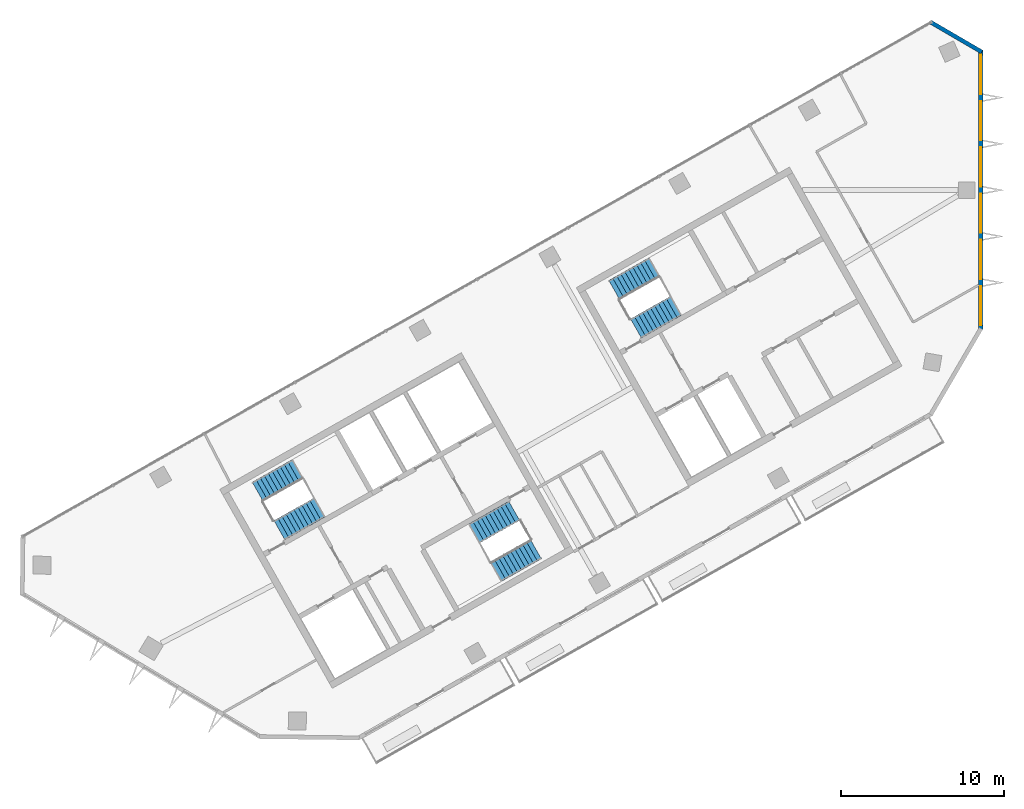
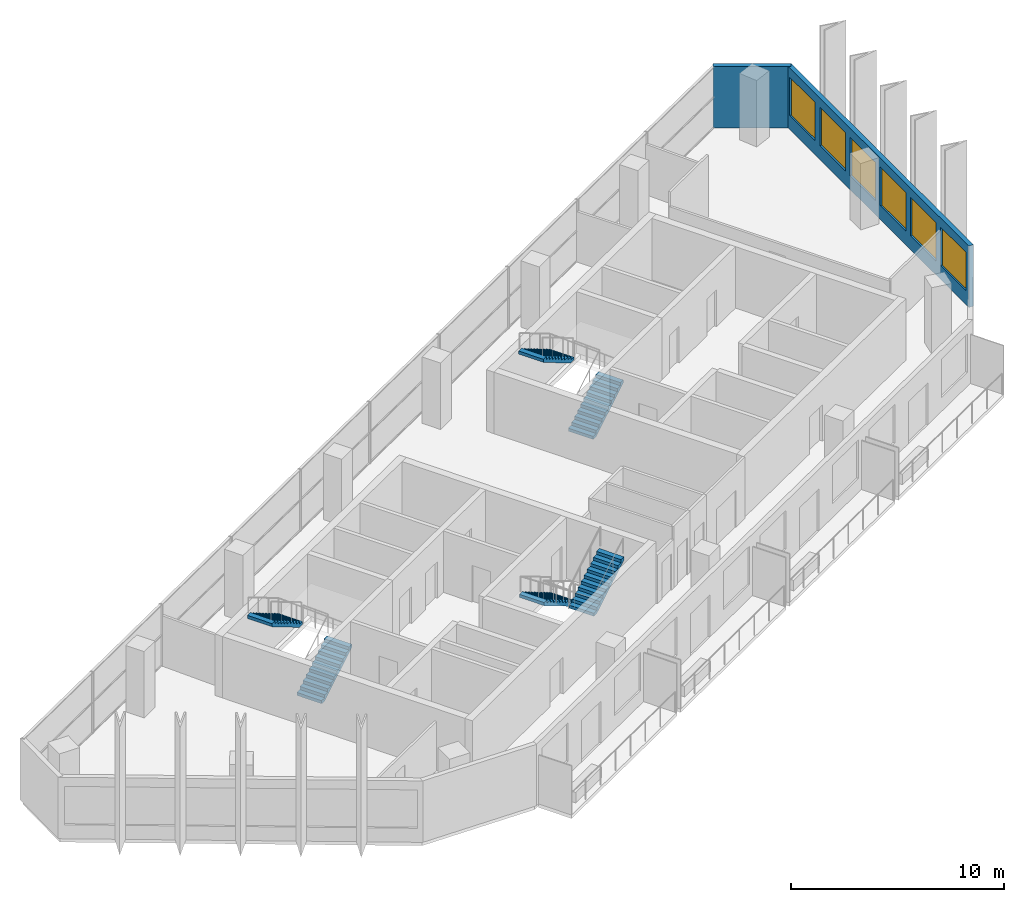
# One storey, part 8 of 10: 6 stair flights, 6 windows, 2 walls, 6 openings, 3 elements without a shape of their own.
"""IFC4 building model written with IfcOpenShell, lengths in metres."""

import ifcopenshell
import ifcopenshell.guid

model = None  # the IFC model being written
_history = None  # IfcOwnerHistory: only IFC2X3 demands one
_inside = {}  # id of a spatial element -> (the spatial element, [elements in it])
_under = {}  # id of a project, library or spatial element -> (it, [spatial elements below it])
_declared = {}  # id of a project -> (the project, [libraries it declares])
_typed = {}  # id of a type object -> (the type object, [elements of that type])
_made_of = {}  # id of a material, layer set ... -> (it, [elements and type objects made of it])


def new_model(schema):
    """Start an empty IFC model of exactly this schema.

    Asked for "IFC4X3", IfcOpenShell would pick the latest addendum, in which some entities
    have other attributes; the version numbers below select the first issue.
    IFC2X3 requires an IfcOwnerHistory on every rooted entity: one is made here for all.
    """
    global model, _history
    if schema == "IFC4X3":
        model = ifcopenshell.file(schema_version=(4, 3, 0, 0))
    else:
        model = ifcopenshell.file(schema=schema)
    _inside.clear()
    _under.clear()
    _declared.clear()
    _typed.clear()
    _made_of.clear()
    _history = None
    if model.schema == "IFC2X3":
        org = make("IfcOrganization", Name="unknown")
        user = make(
            "IfcPersonAndOrganization",
            ThePerson=make("IfcPerson", FamilyName="unknown"),
            TheOrganization=org,
        )
        app = make(
            "IfcApplication",
            ApplicationDeveloper=org,
            Version="unknown",
            ApplicationFullName="unknown",
            ApplicationIdentifier="unknown",
        )
        _history = make(
            "IfcOwnerHistory",
            OwningUser=user,
            OwningApplication=app,
            ChangeAction="ADDED",
            CreationDate=0,
        )
    return model


def make(cls, **values):
    """One entity of the class cls with the attributes given. An attribute that is None is left unset."""
    return model.create_entity(
        cls, **{name: value for name, value in values.items() if value is not None}
    )


def rooted(cls, **values):
    """An entity with a GlobalId (a new one), such as an element, a storey or a relation."""
    return make(cls, GlobalId=ifcopenshell.guid.new(), OwnerHistory=_history, **values)


def si_unit(unit_type, name, prefix=None):
    """IfcSIUnit, for example si_unit("LENGTHUNIT", "METRE", prefix="MILLI")."""
    return make("IfcSIUnit", UnitType=unit_type, Prefix=prefix, Name=name)


def assignment(units):
    """IfcUnitAssignment: the units of a project."""
    return None if units is None else make("IfcUnitAssignment", Units=units)


def point(xyz):
    """IfcCartesianPoint."""
    return None if xyz is None else make("IfcCartesianPoint", Coordinates=xyz)


def direction(xyz):
    """IfcDirection."""
    return None if xyz is None else make("IfcDirection", DirectionRatios=xyz)


def frame(location, z_axis=None, x_axis=None):
    """IfcAxis2Placement3D, a coordinate frame: its origin and axes. An axis left out is left unset."""
    return make(
        "IfcAxis2Placement3D",
        Location=point(location),
        Axis=direction(z_axis),
        RefDirection=direction(x_axis),
    )


def frame_2d(location, x_axis=None):
    """IfcAxis2Placement2D, a coordinate frame in the plane: its origin and x axis."""
    return make(
        "IfcAxis2Placement2D", Location=point(location), RefDirection=direction(x_axis)
    )


def origin():
    """The frame at (0, 0, 0) with its axes left unset."""
    return frame((0.0, 0.0, 0.0))


def place(relative_to, where):
    """IfcLocalPlacement: puts the frame where relative to a parent placement (None: the world)."""
    return make(
        "IfcLocalPlacement", PlacementRelTo=relative_to, RelativePlacement=where
    )


def context(
    kind, dimensions, precision=None, world=None, true_north=None, identifier=None
):
    """IfcGeometricRepresentationContext, for example the 3D "Model" context."""
    return make(
        "IfcGeometricRepresentationContext",
        ContextIdentifier=identifier,
        ContextType=kind,
        CoordinateSpaceDimension=dimensions,
        Precision=precision,
        WorldCoordinateSystem=world,
        TrueNorth=true_north,
    )


def subcontext(parent, identifier, kind, view, scale=None):
    """IfcGeometricRepresentationSubContext, for example "Body" below "Model"."""
    return make(
        "IfcGeometricRepresentationSubContext",
        ContextIdentifier=identifier,
        ContextType=kind,
        ParentContext=parent,
        TargetScale=scale,
        TargetView=view,
    )


def project(units=None, contexts=None):
    """IfcProject with its units and contexts."""
    return rooted(
        "IfcProject",
        Name="project",
        RepresentationContexts=contexts,
        UnitsInContext=assignment(units),
    )


def spatial(cls, under=None, at=None, **own):
    """A site, building, storey or space (cls), placed at a placement, below another one or the project."""
    s = rooted(cls, ObjectPlacement=at, **own)
    if under is not None:
        _under.setdefault(under.id(), (under, []))[1].append(s)
    return s


def polyline(points):
    """IfcPolyline through the points."""
    return make("IfcPolyline", Points=[point(p) for p in points])


def profile(cls, at=None, kind="AREA", **sizes):
    """A parametric profile (cls). Its sizes go by their IFC names, for example OverallWidth=200.0."""
    return make(cls, ProfileType=kind, Position=at, **sizes)


def rectangle(**sizes):
    """IfcRectangleProfileDef."""
    return profile("IfcRectangleProfileDef", **sizes)


def outline(outer, holes=None, kind="AREA"):
    """IfcArbitraryClosedProfileDef: a profile drawn as a closed curve; with holes, ...WithVoids."""
    if holes is None:
        return make("IfcArbitraryClosedProfileDef", ProfileType=kind, OuterCurve=outer)
    return make(
        "IfcArbitraryProfileDefWithVoids",
        ProfileType=kind,
        OuterCurve=outer,
        InnerCurves=holes,
    )


def extrude(swept, where, along, depth):
    """IfcExtrudedAreaSolid: the profile swept, set in the frame where, extruded along a direction by depth."""
    return make(
        "IfcExtrudedAreaSolid",
        SweptArea=swept,
        Position=where,
        ExtrudedDirection=direction(along),
        Depth=depth,
    )


def shape(context_of_items, identifier, shape_type, items):
    """IfcShapeRepresentation: the items that make up one representation, for example the "Body"."""
    return make(
        "IfcShapeRepresentation",
        ContextOfItems=context_of_items,
        RepresentationIdentifier=identifier,
        RepresentationType=shape_type,
        Items=items,
    )


def material(Name=None, Category=None):
    """IfcMaterial."""
    return make("IfcMaterial", Name=Name, Category=Category)


def layer(
    of_material, thickness, ventilated=None, Name=None, Category=None, Priority=None
):
    """IfcMaterialLayer: one layer of a wall or slab, of a material (None: an air gap)."""
    return make(
        "IfcMaterialLayer",
        Material=of_material,
        LayerThickness=thickness,
        IsVentilated=ventilated,
        Name=Name,
        Category=Category,
        Priority=Priority,
    )


def layer_set(layers, Name=None):
    """IfcMaterialLayerSet."""
    return make("IfcMaterialLayerSet", MaterialLayers=layers, LayerSetName=Name)


def made_of(thing, what):
    """Note that an element or type object is made of a material, layer set ...; save() writes the relation."""
    if what is not None:
        _made_of.setdefault(what.id(), (what, []))[1].append(thing)
    return thing


def type_object(cls, material=None, **own):
    """A type object (cls), such as IfcWallType, which elements share."""
    return made_of(rooted(cls, **own), material)


def element(
    cls,
    number,
    at=None,
    inside=None,
    cuts=None,
    type_object=None,
    material=None,
    context=None,
    identifier="Body",
    shape_type=None,
    held_by="IfcProductDefinitionShape",
    body=None,
    shapes=None,
    **own,
):
    """One element of the class cls, such as IfcWall. Its Tag is "e" and its number.

    at: its placement. inside: the storey or other place that contains it. cuts: it is an
    opening in that element (IfcRelVoidsElement). A single representation is given by context,
    identifier, shape_type and body (its items); several are given by shapes. held_by: the class
    of the entity that holds the representations. save() writes the other relations.
    """
    e = rooted(cls, Tag="e%d" % number, ObjectPlacement=at, **own)
    if body is not None:
        shapes = [shape(context, identifier, shape_type, body)]
    if shapes is not None:
        e.Representation = make(held_by, Representations=shapes)
    if inside is not None:
        _inside.setdefault(inside.id(), (inside, []))[1].append(e)
    if cuts is not None:
        rooted(
            "IfcRelVoidsElement", RelatingBuildingElement=cuts, RelatedOpeningElement=e
        )
    if type_object is not None:
        _typed.setdefault(type_object.id(), (type_object, []))[1].append(e)
    return made_of(e, material)


def fill(opening, filler):
    """IfcRelFillsElement: the door or window that sits in an opening."""
    return rooted(
        "IfcRelFillsElement",
        RelatingOpeningElement=opening,
        RelatedBuildingElement=filler,
    )


def aggregate(whole, parts):
    """IfcRelAggregates: a whole, such as a stair, and the parts it consists of."""
    return rooted("IfcRelAggregates", RelatingObject=whole, RelatedObjects=parts)


def save(model, path):
    """Write the relations noted so far, then the file.

    IfcRelAggregates (storeys below a building ...), IfcRelContainedInSpatialStructure (elements
    in a storey), IfcRelDefinesByType, IfcRelAssociatesMaterial and IfcRelDeclares: one each for
    every whole, place, type object, material and project.
    """
    for whole, parts in _under.values():
        aggregate(whole, parts)
    for where, things in _inside.values():
        rooted(
            "IfcRelContainedInSpatialStructure",
            RelatedElements=things,
            RelatingStructure=where,
        )
    for kind, things in _typed.values():
        rooted("IfcRelDefinesByType", RelatedObjects=things, RelatingType=kind)
    for what, things in _made_of.values():
        rooted("IfcRelAssociatesMaterial", RelatedObjects=things, RelatingMaterial=what)
    for by, libraries in _declared.values():
        rooted("IfcRelDeclares", RelatingContext=by, RelatedDefinitions=libraries)
    model.write(path)


model = new_model("IFC4")

# Units and contexts
model_context = context("Model", 3, precision=1e-05, world=origin(), true_north=direction((0.0, 1.0)))
body_context = subcontext(model_context, "Body", "Model", "MODEL_VIEW")
ifc_project = project(units=[si_unit("LENGTHUNIT", "METRE"), si_unit("AREAUNIT", "SQUARE_METRE"), si_unit("VOLUMEUNIT", "CUBIC_METRE"), si_unit("PLANEANGLEUNIT", "RADIAN"), si_unit("MASSUNIT", "GRAM", prefix="KILO")], contexts=[model_context])

# Site, building, storey
site_placement = place(None, origin())
site = spatial("IfcSite", under=ifc_project, at=site_placement, CompositionType="ELEMENT")
building_placement = place(site_placement, origin())
building = spatial("IfcBuilding", under=site, at=building_placement, Name="Binnacle Exchange Tower", CompositionType="ELEMENT")
storey_placement = place(building_placement, frame((0.0, 0.0, 316.5)))
storey = spatial("IfcBuildingStorey", under=building, at=storey_placement, Name="L71", CompositionType="ELEMENT", Elevation=316.5)

# Wall, openings, windows
ifc_material_1 = material(Name="Bronze aluminium cladding", Category="aluminium")
ifc_layer = layer(ifc_material_1, 0.25)
ifc_layer_set = layer_set([ifc_layer], Name="External wall - window wall 250")
wall_type = type_object("IfcWallType", Name="External wall - window wall 250", PredefinedType="STANDARD", material=ifc_layer_set)
wall_1_placement = place(storey_placement, frame((0.0, 68.57177734375, 0.0), z_axis=(0.0, 0.0, 1.0), x_axis=(0.0, -1.0, 0.0)))
wall_1 = element("IfcWall", 1, at=wall_1_placement, inside=storey, type_object=wall_type, Name="External wall EW-H01 L71", PredefinedType="STANDARD", context=body_context, shape_type="SweptSolid", body=[
    extrude(rectangle(XDim=17.10546875, YDim=0.25, at=frame_2d((8.552734375, 0.0))), origin(), (0.0, 0.0, 1.0), 3.52001953125),
])
opening_1_placement = place(wall_1_placement, frame((14.455078125, 0.0, 0.800048828125)))
opening_1 = element("IfcOpeningElement", 2, at=opening_1_placement, cuts=wall_1, Name="Opening WR2", PredefinedType="OPENING", context=body_context, shape_type="SweptSolid", body=[
    extrude(rectangle(XDim=2.39990234375, YDim=2.199951171875, at=frame_2d((1.199951171875, 1.10009765625))), frame((0.0, 0.135009765625, 0.0), z_axis=(0.0, -1.0, 0.0), x_axis=(1.0, 0.0, 0.0)), (0.0, 0.0, 1.0), 0.27001953125),
])
opening_2_placement = place(wall_1_placement, frame((11.621826171875, 0.0, 0.800048828125)))
opening_2 = element("IfcOpeningElement", 3, at=opening_2_placement, cuts=wall_1, Name="Opening WR2", PredefinedType="OPENING", context=body_context, shape_type="SweptSolid", body=[
    extrude(rectangle(XDim=2.39990234375, YDim=2.199951171875, at=frame_2d((1.199951171875, 1.10009765625))), frame((0.0, 0.135009765625, 0.0), z_axis=(0.0, -1.0, 0.0), x_axis=(1.0, 0.0, 0.0)), (0.0, 0.0, 1.0), 0.27001953125),
])
opening_3_placement = place(wall_1_placement, frame((8.78857421875, 0.0, 0.800048828125)))
opening_3 = element("IfcOpeningElement", 4, at=opening_3_placement, cuts=wall_1, Name="Opening WR2", PredefinedType="OPENING", context=body_context, shape_type="SweptSolid", body=[
    extrude(rectangle(XDim=2.39990234375, YDim=2.199951171875, at=frame_2d((1.199951171875, 1.10009765625))), frame((0.0, 0.135009765625, 0.0), z_axis=(0.0, -1.0, 0.0), x_axis=(1.0, 0.0, 0.0)), (0.0, 0.0, 1.0), 0.27001953125),
])
opening_4_placement = place(wall_1_placement, frame((5.955078125, 0.0, 0.800048828125)))
opening_4 = element("IfcOpeningElement", 5, at=opening_4_placement, cuts=wall_1, Name="Opening WR2", PredefinedType="OPENING", context=body_context, shape_type="SweptSolid", body=[
    extrude(rectangle(XDim=2.39990234375, YDim=2.199951171875, at=frame_2d((1.199951171875, 1.10009765625))), frame((0.0, 0.135009765625, 0.0), z_axis=(0.0, -1.0, 0.0), x_axis=(1.0, 0.0, 0.0)), (0.0, 0.0, 1.0), 0.27001953125),
])
opening_5_placement = place(wall_1_placement, frame((3.121826171875, 0.0, 0.800048828125)))
opening_5 = element("IfcOpeningElement", 6, at=opening_5_placement, cuts=wall_1, Name="Opening WR2", PredefinedType="OPENING", context=body_context, shape_type="SweptSolid", body=[
    extrude(rectangle(XDim=2.39990234375, YDim=2.199951171875, at=frame_2d((1.199951171875, 1.10009765625))), frame((0.0, 0.135009765625, 0.0), z_axis=(0.0, -1.0, 0.0), x_axis=(1.0, 0.0, 0.0)), (0.0, 0.0, 1.0), 0.27001953125),
])
opening_6_placement = place(wall_1_placement, frame((0.28857421875, 0.0, 0.800048828125)))
opening_6 = element("IfcOpeningElement", 7, at=opening_6_placement, cuts=wall_1, Name="Opening WR2", PredefinedType="OPENING", context=body_context, shape_type="SweptSolid", body=[
    extrude(rectangle(XDim=2.39990234375, YDim=2.199951171875, at=frame_2d((1.199951171875, 1.10009765625))), frame((0.0, 0.135009765625, 0.0), z_axis=(0.0, -1.0, 0.0), x_axis=(1.0, 0.0, 0.0)), (0.0, 0.0, 1.0), 0.27001953125),
])
ifc_material_2 = material(Name="Bronze anodised aluminium frame", Category="aluminium")
window_type = type_object("IfcWindowType", Name="WR2 WINDOW 2400x2200", PartitioningType="SINGLE_PANEL", PredefinedType="WINDOW", material=ifc_material_2)
window_1_placement = place(opening_1_placement, origin())
window_1 = element("IfcWindow", 8, at=window_1_placement, inside=storey, type_object=window_type, Name="Window WR2 L71", OverallHeight=2.199951171875, OverallWidth=2.39990234375, PartitioningType="SINGLE_PANEL", PredefinedType="WINDOW", context=body_context, shape_type="SweptSolid", body=[
    extrude(rectangle(XDim=2.39990234375, YDim=2.199951171875, at=frame_2d((1.199951171875, 1.10009765625))), frame((0.0, 0.030029296875, 0.0), z_axis=(0.0, -1.0, 0.0), x_axis=(1.0, 0.0, 0.0)), (0.0, 0.0, 1.0), 0.06005859375),
])
fill(opening_1, window_1)
window_2_placement = place(opening_2_placement, origin())
window_2 = element("IfcWindow", 9, at=window_2_placement, inside=storey, type_object=window_type, Name="Window WR2 L71", OverallHeight=2.199951171875, OverallWidth=2.39990234375, PartitioningType="SINGLE_PANEL", PredefinedType="WINDOW", context=body_context, shape_type="SweptSolid", body=[
    extrude(rectangle(XDim=2.39990234375, YDim=2.199951171875, at=frame_2d((1.199951171875, 1.10009765625))), frame((0.0, 0.030029296875, 0.0), z_axis=(0.0, -1.0, 0.0), x_axis=(1.0, 0.0, 0.0)), (0.0, 0.0, 1.0), 0.06005859375),
])
fill(opening_2, window_2)
window_3_placement = place(opening_3_placement, origin())
window_3 = element("IfcWindow", 10, at=window_3_placement, inside=storey, type_object=window_type, Name="Window WR2 L71", OverallHeight=2.199951171875, OverallWidth=2.39990234375, PartitioningType="SINGLE_PANEL", PredefinedType="WINDOW", context=body_context, shape_type="SweptSolid", body=[
    extrude(rectangle(XDim=2.39990234375, YDim=2.199951171875, at=frame_2d((1.199951171875, 1.10009765625))), frame((0.0, 0.030029296875, 0.0), z_axis=(0.0, -1.0, 0.0), x_axis=(1.0, 0.0, 0.0)), (0.0, 0.0, 1.0), 0.06005859375),
])
fill(opening_3, window_3)
window_4_placement = place(opening_4_placement, origin())
window_4 = element("IfcWindow", 11, at=window_4_placement, inside=storey, type_object=window_type, Name="Window WR2 L71", OverallHeight=2.199951171875, OverallWidth=2.39990234375, PartitioningType="SINGLE_PANEL", PredefinedType="WINDOW", context=body_context, shape_type="SweptSolid", body=[
    extrude(rectangle(XDim=2.39990234375, YDim=2.199951171875, at=frame_2d((1.199951171875, 1.10009765625))), frame((0.0, 0.030029296875, 0.0), z_axis=(0.0, -1.0, 0.0), x_axis=(1.0, 0.0, 0.0)), (0.0, 0.0, 1.0), 0.06005859375),
])
fill(opening_4, window_4)
window_5_placement = place(opening_5_placement, origin())
window_5 = element("IfcWindow", 12, at=window_5_placement, inside=storey, type_object=window_type, Name="Window WR2 L71", OverallHeight=2.199951171875, OverallWidth=2.39990234375, PartitioningType="SINGLE_PANEL", PredefinedType="WINDOW", context=body_context, shape_type="SweptSolid", body=[
    extrude(rectangle(XDim=2.39990234375, YDim=2.199951171875, at=frame_2d((1.199951171875, 1.10009765625))), frame((0.0, 0.030029296875, 0.0), z_axis=(0.0, -1.0, 0.0), x_axis=(1.0, 0.0, 0.0)), (0.0, 0.0, 1.0), 0.06005859375),
])
fill(opening_5, window_5)
window_6_placement = place(opening_6_placement, origin())
window_6 = element("IfcWindow", 13, at=window_6_placement, inside=storey, type_object=window_type, Name="Window WR2 L71", OverallHeight=2.199951171875, OverallWidth=2.39990234375, PartitioningType="SINGLE_PANEL", PredefinedType="WINDOW", context=body_context, shape_type="SweptSolid", body=[
    extrude(rectangle(XDim=2.39990234375, YDim=2.199951171875, at=frame_2d((1.199951171875, 1.10009765625))), frame((0.0, 0.030029296875, 0.0), z_axis=(0.0, -1.0, 0.0), x_axis=(1.0, 0.0, 0.0)), (0.0, 0.0, 1.0), 0.06005859375),
])
fill(opening_6, window_6)

# Wall
wall_2_placement = place(storey_placement, frame((-3.108154296875, 70.312744140625, 0.0), z_axis=(0.0, 0.0, 1.0), x_axis=(0.86382474085, -0.503792434536, 0.0)))
element("IfcWall", 14, at=wall_2_placement, inside=storey, type_object=wall_type, Name="External wall EW-H02 L71", PredefinedType="STANDARD", context=body_context, shape_type="SweptSolid", body=[
    extrude(rectangle(XDim=3.669921875, YDim=0.25, at=frame_2d((1.8349609375, 0.0))), origin(), (0.0, 0.0, 1.0), 3.52001953125),
])

# Stair, stair flights
ifc_material_3 = material(Name="Concrete C35/45", Category="concrete")
stair_type = type_object("IfcStairType", Name="STAIR 22 RISERS 173", PredefinedType="HALF_TURN_STAIR", material=ifc_material_3)
stair_1_placement = place(storey_placement, origin())
stair_1 = element("IfcStair", 15, at=stair_1_placement, inside=storey, type_object=stair_type, Name="L71 Escape stair A1", PredefinedType="HALF_TURN_STAIR")
stair_flight_type = type_object("IfcStairFlightType", Name="STAIR FLIGHT 173X280", PredefinedType="STRAIGHT", material=ifc_material_3)
stair_flight_1_placement = place(storey_placement, frame((-42.9541015625, 39.17333984375, 0.0), z_axis=(0.0, 0.0, 1.0), x_axis=(0.870355584213, 0.492423757581, 0.0)))
stair_flight_1 = element("IfcStairFlight", 16, at=stair_flight_1_placement, type_object=stair_flight_type, Name="STA1 flight 1", NumberOfRisers=11, NumberOfTreads=10, PredefinedType="STRAIGHT", RiserHeight=0.172727273, TreadLength=0.28, context=body_context, shape_type="SweptSolid", body=[
    extrude(outline(polyline([(0.0, 0.0), (0.0, 0.172607421875), (0.280029296875, 0.172607421875), (0.280029296875, 0.345458984375), (0.56005859375, 0.345458984375), (0.56005859375, 0.51806640625), (0.840087890625, 0.51806640625), (0.840087890625, 0.69091796875), (1.1201171875, 0.69091796875), (1.1201171875, 0.863525390625), (1.39990234375, 0.863525390625), (1.39990234375, 1.036376953125), (1.679931640625, 1.036376953125), (1.679931640625, 1.208984375), (1.9599609375, 1.208984375), (1.9599609375, 1.3818359375), (2.239990234375, 1.3818359375), (2.239990234375, 1.554443359375), (2.52001953125, 1.554443359375), (2.52001953125, 1.727294921875), (2.800048828125, 1.727294921875), (2.800048828125, 1.89990234375), (2.800048828125, 1.551025390625), (0.285400390625, 0.0), (0.0, 0.0)])), frame((0.0, 0.675048828125, 0.0), z_axis=(0.0, -1.0, 0.0), x_axis=(1.0, 0.0, 0.0)), (0.0, 0.0, 1.0), 1.35009765625),
])
stair_flight_2_placement = place(storey_placement, frame((-41.846435546875, 42.902099609375, 1.89990234375), z_axis=(0.0, 0.0, 1.0), x_axis=(-0.870355584213, -0.492423757581, 0.0)))
stair_flight_2 = element("IfcStairFlight", 17, at=stair_flight_2_placement, type_object=stair_flight_type, Name="STA1 flight 2", NumberOfRisers=11, NumberOfTreads=10, PredefinedType="STRAIGHT", RiserHeight=0.172727273, TreadLength=0.28, context=body_context, shape_type="SweptSolid", body=[
    extrude(outline(polyline([(0.0, 0.0), (0.0, 0.172607421875), (0.280029296875, 0.172607421875), (0.280029296875, 0.345458984375), (0.56005859375, 0.345458984375), (0.56005859375, 0.51806640625), (0.840087890625, 0.51806640625), (0.840087890625, 0.69091796875), (1.1201171875, 0.69091796875), (1.1201171875, 0.863525390625), (1.39990234375, 0.863525390625), (1.39990234375, 1.036376953125), (1.679931640625, 1.036376953125), (1.679931640625, 1.208984375), (1.9599609375, 1.208984375), (1.9599609375, 1.3818359375), (2.239990234375, 1.3818359375), (2.239990234375, 1.554443359375), (2.52001953125, 1.554443359375), (2.52001953125, 1.727294921875), (2.800048828125, 1.727294921875), (2.800048828125, 1.89990234375), (2.800048828125, 1.551025390625), (0.285400390625, 0.0), (0.0, 0.0)])), frame((0.0, 0.675048828125, 0.0), z_axis=(0.0, -1.0, 0.0), x_axis=(1.0, 0.0, 0.0)), (0.0, 0.0, 1.0), 1.35009765625),
])
aggregate(stair_1, [stair_flight_1, stair_flight_2])

stair_2_placement = place(storey_placement, origin())
stair_2 = element("IfcStair", 18, at=stair_2_placement, inside=storey, type_object=stair_type, Name="L71 Escape stair A2", PredefinedType="HALF_TURN_STAIR")
stair_flight_3_placement = place(storey_placement, frame((-28.5732421875, 40.3583984375, 0.0), z_axis=(0.0, 0.0, 1.0), x_axis=(-0.870355584213, -0.492423757581, 0.0)))
stair_flight_3 = element("IfcStairFlight", 19, at=stair_flight_3_placement, type_object=stair_flight_type, Name="STA2 flight 1", NumberOfRisers=11, NumberOfTreads=10, PredefinedType="STRAIGHT", RiserHeight=0.172727273, TreadLength=0.28, context=body_context, shape_type="SweptSolid", body=[
    extrude(outline(polyline([(0.0, 0.0), (0.0, 0.172607421875), (0.280029296875, 0.172607421875), (0.280029296875, 0.345458984375), (0.56005859375, 0.345458984375), (0.56005859375, 0.51806640625), (0.840087890625, 0.51806640625), (0.840087890625, 0.69091796875), (1.1201171875, 0.69091796875), (1.1201171875, 0.863525390625), (1.39990234375, 0.863525390625), (1.39990234375, 1.036376953125), (1.679931640625, 1.036376953125), (1.679931640625, 1.208984375), (1.9599609375, 1.208984375), (1.9599609375, 1.3818359375), (2.239990234375, 1.3818359375), (2.239990234375, 1.554443359375), (2.52001953125, 1.554443359375), (2.52001953125, 1.727294921875), (2.800048828125, 1.727294921875), (2.800048828125, 1.89990234375), (2.800048828125, 1.551025390625), (0.285400390625, 0.0), (0.0, 0.0)])), frame((0.0, 0.675048828125, 0.0), z_axis=(0.0, -1.0, 0.0), x_axis=(1.0, 0.0, 0.0)), (0.0, 0.0, 1.0), 1.35009765625),
])
stair_flight_4_placement = place(storey_placement, frame((-29.6806640625, 36.629638671875, 1.89990234375), z_axis=(0.0, 0.0, 1.0), x_axis=(0.870355584213, 0.492423757581, 0.0)))
stair_flight_4 = element("IfcStairFlight", 20, at=stair_flight_4_placement, type_object=stair_flight_type, Name="STA2 flight 2", NumberOfRisers=11, NumberOfTreads=10, PredefinedType="STRAIGHT", RiserHeight=0.172727273, TreadLength=0.28, context=body_context, shape_type="SweptSolid", body=[
    extrude(outline(polyline([(0.0, 0.0), (0.0, 0.172607421875), (0.280029296875, 0.172607421875), (0.280029296875, 0.345458984375), (0.56005859375, 0.345458984375), (0.56005859375, 0.51806640625), (0.840087890625, 0.51806640625), (0.840087890625, 0.69091796875), (1.1201171875, 0.69091796875), (1.1201171875, 0.863525390625), (1.39990234375, 0.863525390625), (1.39990234375, 1.036376953125), (1.679931640625, 1.036376953125), (1.679931640625, 1.208984375), (1.9599609375, 1.208984375), (1.9599609375, 1.3818359375), (2.239990234375, 1.3818359375), (2.239990234375, 1.554443359375), (2.52001953125, 1.554443359375), (2.52001953125, 1.727294921875), (2.800048828125, 1.727294921875), (2.800048828125, 1.89990234375), (2.800048828125, 1.551025390625), (0.285400390625, 0.0), (0.0, 0.0)])), frame((0.0, 0.675048828125, 0.0), z_axis=(0.0, -1.0, 0.0), x_axis=(1.0, 0.0, 0.0)), (0.0, 0.0, 1.0), 1.35009765625),
])
aggregate(stair_2, [stair_flight_3, stair_flight_4])

stair_3_placement = place(storey_placement, origin())
stair_3 = element("IfcStair", 21, at=stair_3_placement, inside=storey, type_object=stair_type, Name="L71 Escape stair C1", PredefinedType="HALF_TURN_STAIR")
stair_flight_5_placement = place(storey_placement, frame((-21.115966796875, 51.528564453125, 0.0), z_axis=(0.0, 0.0, 1.0), x_axis=(0.870355584213, 0.492423757581, 0.0)))
stair_flight_5 = element("IfcStairFlight", 22, at=stair_flight_5_placement, type_object=stair_flight_type, Name="STC1 flight 1", NumberOfRisers=11, NumberOfTreads=10, PredefinedType="STRAIGHT", RiserHeight=0.172727273, TreadLength=0.28, context=body_context, shape_type="SweptSolid", body=[
    extrude(outline(polyline([(0.0, 0.0), (0.0, 0.172607421875), (0.280029296875, 0.172607421875), (0.280029296875, 0.345458984375), (0.56005859375, 0.345458984375), (0.56005859375, 0.51806640625), (0.840087890625, 0.51806640625), (0.840087890625, 0.69091796875), (1.1201171875, 0.69091796875), (1.1201171875, 0.863525390625), (1.39990234375, 0.863525390625), (1.39990234375, 1.036376953125), (1.679931640625, 1.036376953125), (1.679931640625, 1.208984375), (1.9599609375, 1.208984375), (1.9599609375, 1.3818359375), (2.239990234375, 1.3818359375), (2.239990234375, 1.554443359375), (2.52001953125, 1.554443359375), (2.52001953125, 1.727294921875), (2.800048828125, 1.727294921875), (2.800048828125, 1.89990234375), (2.800048828125, 1.551025390625), (0.285400390625, 0.0), (0.0, 0.0)])), frame((0.0, 0.675048828125, 0.0), z_axis=(0.0, -1.0, 0.0), x_axis=(1.0, 0.0, 0.0)), (0.0, 0.0, 1.0), 1.35009765625),
])
stair_flight_6_placement = place(storey_placement, frame((-20.008544921875, 55.25732421875, 1.89990234375), z_axis=(0.0, 0.0, 1.0), x_axis=(-0.870355584213, -0.492423757581, 0.0)))
stair_flight_6 = element("IfcStairFlight", 23, at=stair_flight_6_placement, type_object=stair_flight_type, Name="STC1 flight 2", NumberOfRisers=11, NumberOfTreads=10, PredefinedType="STRAIGHT", RiserHeight=0.172727273, TreadLength=0.28, context=body_context, shape_type="SweptSolid", body=[
    extrude(outline(polyline([(0.0, 0.0), (0.0, 0.172607421875), (0.280029296875, 0.172607421875), (0.280029296875, 0.345458984375), (0.56005859375, 0.345458984375), (0.56005859375, 0.51806640625), (0.840087890625, 0.51806640625), (0.840087890625, 0.69091796875), (1.1201171875, 0.69091796875), (1.1201171875, 0.863525390625), (1.39990234375, 0.863525390625), (1.39990234375, 1.036376953125), (1.679931640625, 1.036376953125), (1.679931640625, 1.208984375), (1.9599609375, 1.208984375), (1.9599609375, 1.3818359375), (2.239990234375, 1.3818359375), (2.239990234375, 1.554443359375), (2.52001953125, 1.554443359375), (2.52001953125, 1.727294921875), (2.800048828125, 1.727294921875), (2.800048828125, 1.89990234375), (2.800048828125, 1.551025390625), (0.285400390625, 0.0), (0.0, 0.0)])), frame((0.0, 0.675048828125, 0.0), z_axis=(0.0, -1.0, 0.0), x_axis=(1.0, 0.0, 0.0)), (0.0, 0.0, 1.0), 1.35009765625),
])
aggregate(stair_3, [stair_flight_5, stair_flight_6])

save(model, "model.ifc")
